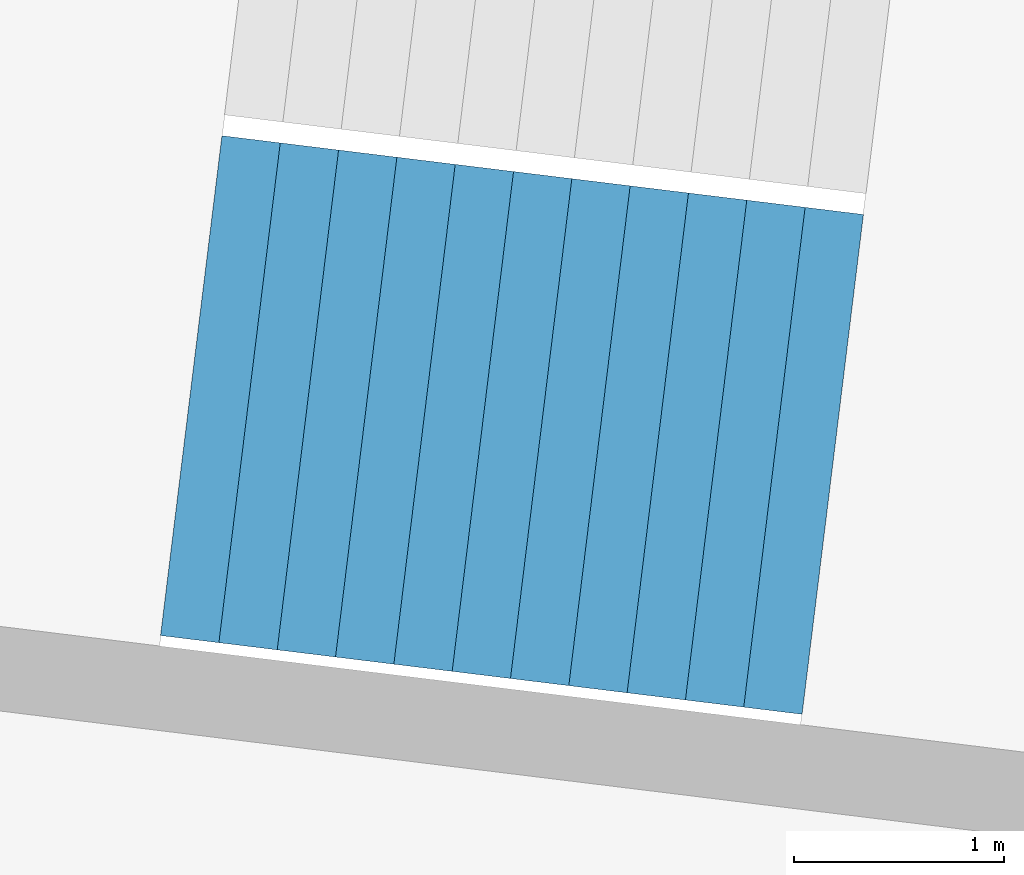
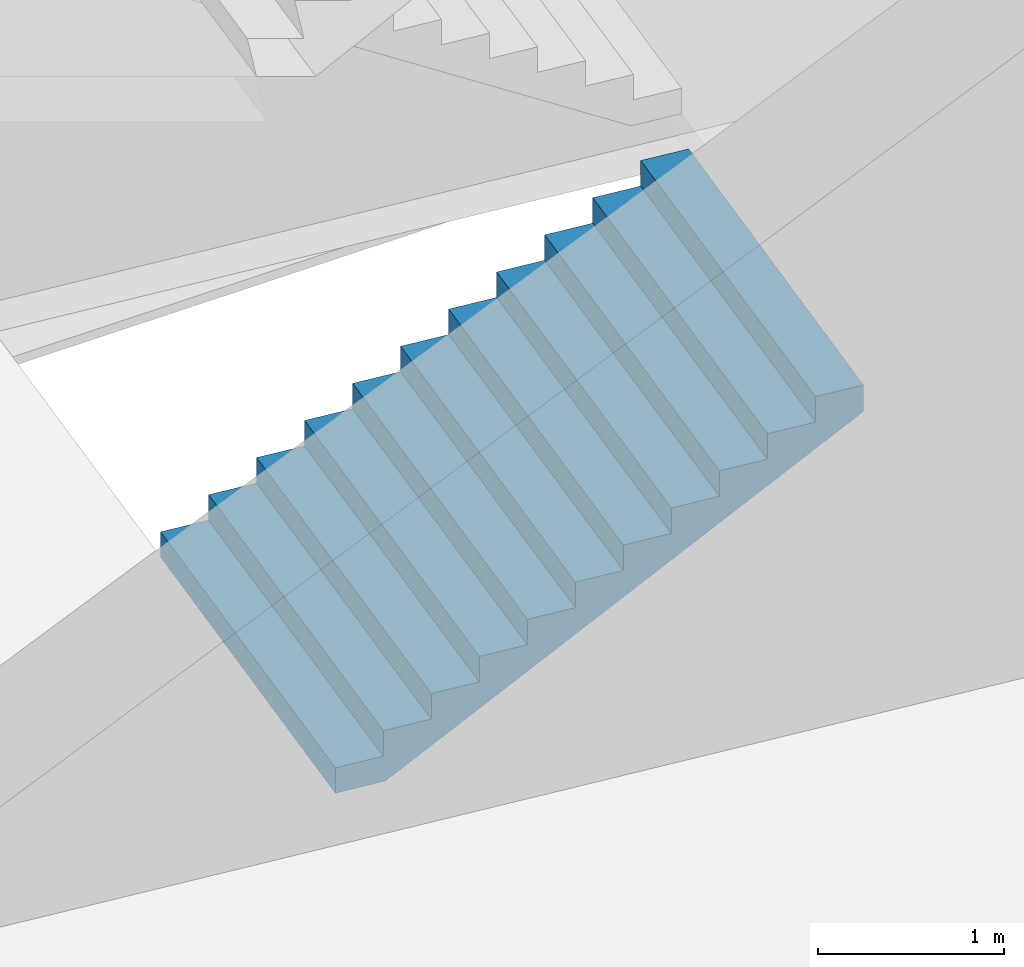
# One storey, part 54 of 74: 1 stair flight, 1 element without a shape of its own.
"""IFC4 building model written with IfcOpenShell, lengths in metres."""

from ifc_helpers import new_model, si_unit, direction, frame, origin, place, context, subcontext, project, spatial, triangles, material, type_object, element, aggregate, save


model = new_model("IFC4")

# Units and contexts
model_context = context("Model", 3, precision=1e-05, world=origin(), true_north=direction((0.0, 1.0)))
body_context = subcontext(model_context, "Body", "Model", "MODEL_VIEW")
ifc_project = project(units=[si_unit("LENGTHUNIT", "METRE"), si_unit("AREAUNIT", "SQUARE_METRE"), si_unit("VOLUMEUNIT", "CUBIC_METRE"), si_unit("PLANEANGLEUNIT", "RADIAN"), si_unit("MASSUNIT", "GRAM", prefix="KILO")], contexts=[model_context])

# Site, building, storey
site_placement = place(None, origin())
site = spatial("IfcSite", under=ifc_project, at=site_placement, CompositionType="ELEMENT")
building_placement = place(site_placement, origin())
building = spatial("IfcBuilding", under=site, at=building_placement, Name="Lantaw Convention Tower", CompositionType="ELEMENT")
storey_placement = place(building_placement, frame((0.0, 0.0, 6.5)))
storey = spatial("IfcBuildingStorey", under=building, at=storey_placement, Name="L01", CompositionType="ELEMENT", Elevation=6.5)

# Stair, stair flight
ifc_material = material(Name="Concrete C35/45", Category="concrete")
stair_type = type_object("IfcStairType", Name="Exit stair 2400 riser 166.67 in 4 flights", PredefinedType="HALF_TURN_STAIR", material=ifc_material)
stair_placement = place(storey_placement, origin())
stair = element("IfcStair", 1, at=stair_placement, inside=storey, type_object=stair_type, Name="Podium exit stair P13 L01", PredefinedType="HALF_TURN_STAIR")
stair_flight_type = type_object("IfcStairFlightType", Name="Stair flight 2400 riser 166.67", PredefinedType="STRAIGHT", material=ifc_material)
stair_flight_placement = place(storey_placement, frame((34.857421875, -5.539306640625, 0.0), z_axis=(0.0, 0.0, 1.0), x_axis=(0.992546151641, -0.121869343405, 0.0)))
stair_flight = element("IfcStairFlight", 2, at=stair_flight_placement, type_object=stair_flight_type, Name="P13 flight 1", NumberOfRisers=12, NumberOfTreads=11, PredefinedType="STRAIGHT", RiserHeight=0.166666667, TreadLength=0.28, context=body_context, shape_type="Tessellation", body=[
    triangles([(0.0, 1.199951171875, 0.0), (0.0, 1.199951171875, 0.166666667), (0.28, 1.199951171875, 0.0), (0.28, 1.199951171875, 0.166666667), (0.28, 1.199951171875, 0.333333334), (0.29307345806906726, 1.199951171875, 0.0), (0.29307345806906726, 1.199951171875, 0.333333334), (0.56, 1.199951171875, 0.15888484670522965), (0.56, 1.199951171875, 0.333333334), (0.56, 1.199951171875, 0.500000001), (0.8400000000000001, 1.199951171875, 0.3255515137052296), (0.8400000000000001, 1.199951171875, 0.500000001), (0.8400000000000001, 1.199951171875, 0.666666668), (1.12, 1.199951171875, 0.4922181807052296), (1.12, 1.199951171875, 0.666666668), (1.12, 1.199951171875, 0.833333335), (1.4000000000000001, 1.199951171875, 0.6588848477052296), (1.4000000000000001, 1.199951171875, 0.833333335), (1.4000000000000001, 1.199951171875, 1.000000002), (1.6800000000000002, 1.199951171875, 0.8255515147052296), (1.6800000000000002, 1.199951171875, 1.000000002), (1.6800000000000002, 1.199951171875, 1.166666669), (1.9600000000000002, 1.199951171875, 0.9922181817052296), (1.9600000000000002, 1.199951171875, 1.166666669), (1.9600000000000002, 1.199951171875, 1.333333336), (2.24, 1.199951171875, 1.1588848487052295), (2.24, 1.199951171875, 1.333333336), (2.24, 1.199951171875, 1.5000000029999998), (2.5200000000000005, 1.199951171875, 1.3255515157052296), (2.5200000000000005, 1.199951171875, 1.5000000029999998), (2.5200000000000005, 1.199951171875, 1.66666667), (2.8000000000000003, 1.199951171875, 1.4922181827052294), (2.8000000000000003, 1.199951171875, 1.66666667), (2.8000000000000003, 1.199951171875, 1.833333337), (3.08, 1.199951171875, 1.6588848497052293), (3.08, 1.199951171875, 1.833333337), (0.0, -1.199951171875, 0.0), (0.0, -1.199951171875, 0.166666667), (0.28, -1.199951171875, 0.0), (0.28, -1.199951171875, 0.166666667), (0.28, -1.199951171875, 0.333333334), (0.29307345806906726, -1.199951171875, 0.0), (0.29307345806906726, -1.199951171875, 0.333333334), (0.56, -1.199951171875, 0.15888484670522965), (0.56, -1.199951171875, 0.333333334), (0.56, -1.199951171875, 0.500000001), (0.8400000000000001, -1.199951171875, 0.3255515137052296), (0.8400000000000001, -1.199951171875, 0.500000001), (0.8400000000000001, -1.199951171875, 0.666666668), (1.12, -1.199951171875, 0.4922181807052296), (1.12, -1.199951171875, 0.666666668), (1.12, -1.199951171875, 0.833333335), (1.4000000000000001, -1.199951171875, 0.6588848477052296), (1.4000000000000001, -1.199951171875, 0.833333335), (1.4000000000000001, -1.199951171875, 1.000000002), (1.6800000000000002, -1.199951171875, 0.8255515147052296), (1.6800000000000002, -1.199951171875, 1.000000002), (1.6800000000000002, -1.199951171875, 1.166666669), (1.9600000000000002, -1.199951171875, 0.9922181817052296), (1.9600000000000002, -1.199951171875, 1.166666669), (1.9600000000000002, -1.199951171875, 1.333333336), (2.24, -1.199951171875, 1.1588848487052295), (2.24, -1.199951171875, 1.333333336), (2.24, -1.199951171875, 1.5000000029999998), (2.5200000000000005, -1.199951171875, 1.3255515157052296), (2.5200000000000005, -1.199951171875, 1.5000000029999998), (2.5200000000000005, -1.199951171875, 1.66666667), (2.8000000000000003, -1.199951171875, 1.4922181827052294), (2.8000000000000003, -1.199951171875, 1.66666667), (2.8000000000000003, -1.199951171875, 1.833333337), (3.08, -1.199951171875, 1.6588848497052293), (3.08, -1.199951171875, 1.833333337), (0.0, 0.239990234375, 0.166666667), (0.0, 0.239990234375, 0.0), (0.0, 0.1199951171875, 0.166666667), (0.0, 0.1199951171875, 0.0), (0.0, 0.0, 0.166666667), (0.0, 0.0, 0.0), (0.0, -0.1199951171875, 0.166666667), (0.0, -0.1199951171875, 0.0), (0.0, -0.239990234375, 0.166666667), (0.0, -0.239990234375, 0.0), (0.28, 0.239990234375, 0.333333334), (0.28, 0.239990234375, 0.166666667), (0.28, 0.1199951171875, 0.333333334), (0.28, 0.1199951171875, 0.166666667), (0.28, 0.0, 0.333333334), (0.28, 0.0, 0.166666667), (0.28, -0.1199951171875, 0.333333334), (0.28, -0.1199951171875, 0.166666667), (0.28, -0.239990234375, 0.333333334), (0.28, -0.239990234375, 0.166666667), (0.56, 0.239990234375, 0.500000001), (0.56, 0.239990234375, 0.333333334), (0.56, 0.1199951171875, 0.500000001), (0.56, 0.1199951171875, 0.333333334), (0.56, 0.0, 0.500000001), (0.56, 0.0, 0.333333334), (0.56, -0.1199951171875, 0.500000001), (0.56, -0.1199951171875, 0.333333334), (0.56, -0.239990234375, 0.500000001), (0.56, -0.239990234375, 0.333333334), (0.8400000000000001, 0.239990234375, 0.666666668), (0.8400000000000001, 0.239990234375, 0.500000001), (0.8400000000000001, 0.1199951171875, 0.666666668), (0.8400000000000001, 0.1199951171875, 0.500000001), (0.8400000000000001, 0.0, 0.666666668), (0.8400000000000001, 0.0, 0.500000001), (0.8400000000000001, -0.1199951171875, 0.666666668), (0.8400000000000001, -0.1199951171875, 0.500000001), (0.8400000000000001, -0.239990234375, 0.666666668), (0.8400000000000001, -0.239990234375, 0.500000001), (1.12, 0.239990234375, 0.833333335), (1.12, 0.239990234375, 0.666666668), (1.12, 0.1199951171875, 0.833333335), (1.12, 0.1199951171875, 0.666666668), (1.12, 0.0, 0.833333335), (1.12, 0.0, 0.666666668), (1.12, -0.1199951171875, 0.833333335), (1.12, -0.1199951171875, 0.666666668), (1.12, -0.239990234375, 0.833333335), (1.12, -0.239990234375, 0.666666668), (1.4000000000000001, 0.239990234375, 1.000000002), (1.4000000000000001, 0.239990234375, 0.833333335), (1.4000000000000001, 0.1199951171875, 1.000000002), (1.4000000000000001, 0.1199951171875, 0.833333335), (1.4000000000000001, 0.0, 1.000000002), (1.4000000000000001, 0.0, 0.833333335), (1.4000000000000001, -0.1199951171875, 1.000000002), (1.4000000000000001, -0.1199951171875, 0.833333335), (1.4000000000000001, -0.239990234375, 1.000000002), (1.4000000000000001, -0.239990234375, 0.833333335), (1.6800000000000002, 0.239990234375, 1.166666669), (1.6800000000000002, 0.239990234375, 1.000000002), (1.6800000000000002, 0.1199951171875, 1.166666669), (1.6800000000000002, 0.1199951171875, 1.000000002), (1.6800000000000002, 0.0, 1.166666669), (1.6800000000000002, 0.0, 1.000000002), (1.6800000000000002, -0.1199951171875, 1.166666669), (1.6800000000000002, -0.1199951171875, 1.000000002), (1.6800000000000002, -0.239990234375, 1.166666669), (1.6800000000000002, -0.239990234375, 1.000000002), (1.9600000000000002, 0.239990234375, 1.333333336), (1.9600000000000002, 0.239990234375, 1.166666669), (1.9600000000000002, 0.1199951171875, 1.333333336), (1.9600000000000002, 0.1199951171875, 1.166666669), (1.9600000000000002, 0.0, 1.333333336), (1.9600000000000002, 0.0, 1.166666669), (1.9600000000000002, -0.1199951171875, 1.333333336), (1.9600000000000002, -0.1199951171875, 1.166666669), (1.9600000000000002, -0.239990234375, 1.333333336), (1.9600000000000002, -0.239990234375, 1.166666669), (2.24, 0.239990234375, 1.5000000029999998), (2.24, 0.239990234375, 1.333333336), (2.24, 0.1199951171875, 1.5000000029999998), (2.24, 0.1199951171875, 1.333333336), (2.24, 0.0, 1.5000000029999998), (2.24, 0.0, 1.333333336), (2.24, -0.1199951171875, 1.5000000029999998), (2.24, -0.1199951171875, 1.333333336), (2.24, -0.239990234375, 1.5000000029999998), (2.24, -0.239990234375, 1.333333336), (2.5200000000000005, 0.239990234375, 1.66666667), (2.5200000000000005, 0.239990234375, 1.5000000029999998), (2.5200000000000005, 0.1199951171875, 1.66666667), (2.5200000000000005, 0.1199951171875, 1.5000000029999998), (2.5200000000000005, 0.0, 1.66666667), (2.5200000000000005, 0.0, 1.5000000029999998), (2.5200000000000005, -0.1199951171875, 1.66666667), (2.5200000000000005, -0.1199951171875, 1.5000000029999998), (2.5200000000000005, -0.239990234375, 1.66666667), (2.5200000000000005, -0.239990234375, 1.5000000029999998), (2.8000000000000003, 0.239990234375, 1.833333337), (2.8000000000000003, 0.239990234375, 1.66666667), (2.8000000000000003, 0.1199951171875, 1.833333337), (2.8000000000000003, 0.1199951171875, 1.66666667), (2.8000000000000003, 0.0, 1.833333337), (2.8000000000000003, 0.0, 1.66666667), (2.8000000000000003, -0.1199951171875, 1.833333337), (2.8000000000000003, -0.1199951171875, 1.66666667), (2.8000000000000003, -0.239990234375, 1.833333337), (2.8000000000000003, -0.239990234375, 1.66666667), (0.29307345806906726, 0.239990234375, 0.333333334), (0.29307345806906726, 0.1199951171875, 0.333333334), (0.29307345806906726, 0.0, 0.333333334), (0.29307345806906726, -0.1199951171875, 0.333333334), (0.29307345806906726, -0.239990234375, 0.333333334), (3.08, 0.239990234375, 1.833333337), (3.08, 0.1199951171875, 1.833333337), (3.08, 0.0, 1.833333337), (3.08, -0.1199951171875, 1.833333337), (3.08, -0.239990234375, 1.833333337), (3.08, 0.239990234375, 1.6588848497052293), (3.08, 0.1199951171875, 1.6588848497052293), (3.08, 0.0, 1.6588848497052293), (3.08, -0.1199951171875, 1.6588848497052293), (3.08, -0.239990234375, 1.6588848497052293), (2.8000000000000003, 0.239990234375, 1.4922181827052294), (2.8000000000000003, 0.1199951171875, 1.4922181827052294), (2.8000000000000003, 0.0, 1.4922181827052294), (2.8000000000000003, -0.1199951171875, 1.4922181827052294), (2.8000000000000003, -0.239990234375, 1.4922181827052294), (2.5200000000000005, 0.239990234375, 1.3255515157052296), (2.5200000000000005, 0.1199951171875, 1.3255515157052296), (2.5200000000000005, 0.0, 1.3255515157052296), (2.5200000000000005, -0.1199951171875, 1.3255515157052296), (2.5200000000000005, -0.239990234375, 1.3255515157052296), (2.24, 0.239990234375, 1.1588848487052295), (2.24, 0.1199951171875, 1.1588848487052295), (2.24, 0.0, 1.1588848487052295), (2.24, -0.1199951171875, 1.1588848487052295), (2.24, -0.239990234375, 1.1588848487052295), (1.9600000000000002, 0.239990234375, 0.9922181817052296), (1.9600000000000002, 0.1199951171875, 0.9922181817052296), (1.9600000000000002, 0.0, 0.9922181817052296), (1.9600000000000002, -0.1199951171875, 0.9922181817052296), (1.9600000000000002, -0.239990234375, 0.9922181817052296), (1.6800000000000002, 0.239990234375, 0.8255515147052296), (1.6800000000000002, 0.1199951171875, 0.8255515147052296), (1.6800000000000002, 0.0, 0.8255515147052296), (1.6800000000000002, -0.1199951171875, 0.8255515147052296), (1.6800000000000002, -0.239990234375, 0.8255515147052296), (1.4000000000000001, 0.239990234375, 0.6588848477052296), (1.4000000000000001, 0.1199951171875, 0.6588848477052296), (1.4000000000000001, 0.0, 0.6588848477052296), (1.4000000000000001, -0.1199951171875, 0.6588848477052296), (1.4000000000000001, -0.239990234375, 0.6588848477052296), (1.12, 0.239990234375, 0.4922181807052296), (1.12, 0.1199951171875, 0.4922181807052296), (1.12, 0.0, 0.4922181807052296), (1.12, -0.1199951171875, 0.4922181807052296), (1.12, -0.239990234375, 0.4922181807052296), (0.8400000000000001, 0.239990234375, 0.3255515137052296), (0.8400000000000001, 0.1199951171875, 0.3255515137052296), (0.8400000000000001, 0.0, 0.3255515137052296), (0.8400000000000001, -0.1199951171875, 0.3255515137052296), (0.8400000000000001, -0.239990234375, 0.3255515137052296), (0.56, 0.239990234375, 0.15888484670522965), (0.56, 0.1199951171875, 0.15888484670522965), (0.56, 0.0, 0.15888484670522965), (0.56, -0.1199951171875, 0.15888484670522965), (0.56, -0.239990234375, 0.15888484670522965), (0.29307345806906726, 0.239990234375, 0.0), (0.29307345806906726, 0.1199951171875, 0.0), (0.29307345806906726, 0.0, 0.0), (0.29307345806906726, -0.1199951171875, 0.0), (0.29307345806906726, -0.239990234375, 0.0), (0.28, 0.239990234375, 0.0), (0.28, 0.1199951171875, 0.0), (0.28, 0.0, 0.0), (0.28, -0.1199951171875, 0.0), (0.28, -0.239990234375, 0.0)], [[1, 4, 3], [1, 2, 4], [3, 4, 6], [4, 7, 6], [4, 5, 7], [6, 9, 8], [6, 7, 9], [8, 9, 11], [9, 12, 11], [9, 10, 12], [11, 12, 14], [12, 15, 14], [12, 13, 15], [14, 15, 17], [15, 18, 17], [15, 16, 18], [17, 18, 20], [18, 21, 20], [18, 19, 21], [20, 21, 23], [21, 24, 23], [21, 22, 24], [23, 24, 26], [24, 27, 26], [24, 25, 27], [26, 27, 29], [27, 30, 29], [27, 28, 30], [29, 30, 32], [30, 33, 32], [30, 31, 33], [32, 33, 35], [33, 36, 35], [33, 34, 36], [37, 39, 40], [37, 40, 38], [39, 42, 40], [40, 42, 43], [40, 43, 41], [42, 44, 45], [42, 45, 43], [44, 47, 45], [45, 47, 48], [45, 48, 46], [47, 50, 48], [48, 50, 51], [48, 51, 49], [50, 53, 51], [51, 53, 54], [51, 54, 52], [53, 56, 54], [54, 56, 57], [54, 57, 55], [56, 59, 57], [57, 59, 60], [57, 60, 58], [59, 62, 60], [60, 62, 63], [60, 63, 61], [62, 65, 63], [63, 65, 66], [63, 66, 64], [65, 68, 66], [66, 68, 69], [66, 69, 67], [68, 71, 69], [69, 71, 72], [69, 72, 70], [1, 73, 2], [1, 74, 73], [74, 75, 73], [74, 76, 75], [76, 77, 75], [76, 78, 77], [78, 79, 77], [78, 80, 79], [80, 81, 79], [80, 82, 81], [82, 38, 81], [82, 37, 38], [4, 83, 5], [4, 84, 83], [84, 85, 83], [84, 86, 85], [86, 87, 85], [86, 88, 87], [88, 89, 87], [88, 90, 89], [90, 91, 89], [90, 92, 91], [92, 41, 91], [92, 40, 41], [9, 93, 10], [9, 94, 93], [94, 95, 93], [94, 96, 95], [96, 97, 95], [96, 98, 97], [98, 99, 97], [98, 100, 99], [100, 101, 99], [100, 102, 101], [102, 46, 101], [102, 45, 46], [12, 103, 13], [12, 104, 103], [104, 105, 103], [104, 106, 105], [106, 107, 105], [106, 108, 107], [108, 109, 107], [108, 110, 109], [110, 111, 109], [110, 112, 111], [112, 49, 111], [112, 48, 49], [15, 113, 16], [15, 114, 113], [114, 115, 113], [114, 116, 115], [116, 117, 115], [116, 118, 117], [118, 119, 117], [118, 120, 119], [120, 121, 119], [120, 122, 121], [122, 52, 121], [122, 51, 52], [18, 123, 19], [18, 124, 123], [124, 125, 123], [124, 126, 125], [126, 127, 125], [126, 128, 127], [128, 129, 127], [128, 130, 129], [130, 131, 129], [130, 132, 131], [132, 55, 131], [132, 54, 55], [21, 133, 22], [21, 134, 133], [134, 135, 133], [134, 136, 135], [136, 137, 135], [136, 138, 137], [138, 139, 137], [138, 140, 139], [140, 141, 139], [140, 142, 141], [142, 58, 141], [142, 57, 58], [24, 143, 25], [24, 144, 143], [144, 145, 143], [144, 146, 145], [146, 147, 145], [146, 148, 147], [148, 149, 147], [148, 150, 149], [150, 151, 149], [150, 152, 151], [152, 61, 151], [152, 60, 61], [27, 153, 28], [27, 154, 153], [154, 155, 153], [154, 156, 155], [156, 157, 155], [156, 158, 157], [158, 159, 157], [158, 160, 159], [160, 161, 159], [160, 162, 161], [162, 64, 161], [162, 63, 64], [30, 163, 31], [30, 164, 163], [164, 165, 163], [164, 166, 165], [166, 167, 165], [166, 168, 167], [168, 169, 167], [168, 170, 169], [170, 171, 169], [170, 172, 171], [172, 67, 171], [172, 66, 67], [33, 173, 34], [33, 174, 173], [174, 175, 173], [174, 176, 175], [176, 177, 175], [176, 178, 177], [178, 179, 177], [178, 180, 179], [180, 181, 179], [180, 182, 181], [182, 70, 181], [182, 69, 70], [2, 84, 4], [2, 73, 84], [73, 86, 84], [73, 75, 86], [75, 88, 86], [75, 77, 88], [77, 90, 88], [77, 79, 90], [79, 92, 90], [79, 81, 92], [81, 40, 92], [81, 38, 40], [5, 183, 7], [5, 83, 183], [83, 184, 183], [83, 85, 184], [85, 185, 184], [85, 87, 185], [87, 186, 185], [87, 89, 186], [89, 187, 186], [89, 91, 187], [91, 43, 187], [91, 41, 43], [7, 94, 9], [7, 183, 94], [183, 96, 94], [183, 184, 96], [184, 98, 96], [184, 185, 98], [185, 100, 98], [185, 186, 100], [186, 102, 100], [186, 187, 102], [187, 45, 102], [187, 43, 45], [10, 104, 12], [10, 93, 104], [93, 106, 104], [93, 95, 106], [95, 108, 106], [95, 97, 108], [97, 110, 108], [97, 99, 110], [99, 112, 110], [99, 101, 112], [101, 48, 112], [101, 46, 48], [13, 114, 15], [13, 103, 114], [103, 116, 114], [103, 105, 116], [105, 118, 116], [105, 107, 118], [107, 120, 118], [107, 109, 120], [109, 122, 120], [109, 111, 122], [111, 51, 122], [111, 49, 51], [16, 124, 18], [16, 113, 124], [113, 126, 124], [113, 115, 126], [115, 128, 126], [115, 117, 128], [117, 130, 128], [117, 119, 130], [119, 132, 130], [119, 121, 132], [121, 54, 132], [121, 52, 54], [19, 134, 21], [19, 123, 134], [123, 136, 134], [123, 125, 136], [125, 138, 136], [125, 127, 138], [127, 140, 138], [127, 129, 140], [129, 142, 140], [129, 131, 142], [131, 57, 142], [131, 55, 57], [22, 144, 24], [22, 133, 144], [133, 146, 144], [133, 135, 146], [135, 148, 146], [135, 137, 148], [137, 150, 148], [137, 139, 150], [139, 152, 150], [139, 141, 152], [141, 60, 152], [141, 58, 60], [25, 154, 27], [25, 143, 154], [143, 156, 154], [143, 145, 156], [145, 158, 156], [145, 147, 158], [147, 160, 158], [147, 149, 160], [149, 162, 160], [149, 151, 162], [151, 63, 162], [151, 61, 63], [28, 164, 30], [28, 153, 164], [153, 166, 164], [153, 155, 166], [155, 168, 166], [155, 157, 168], [157, 170, 168], [157, 159, 170], [159, 172, 170], [159, 161, 172], [161, 66, 172], [161, 64, 66], [31, 174, 33], [31, 163, 174], [163, 176, 174], [163, 165, 176], [165, 178, 176], [165, 167, 178], [167, 180, 178], [167, 169, 180], [169, 182, 180], [169, 171, 182], [171, 69, 182], [171, 67, 69], [34, 188, 36], [34, 173, 188], [173, 189, 188], [173, 175, 189], [175, 190, 189], [175, 177, 190], [177, 191, 190], [177, 179, 191], [179, 192, 191], [179, 181, 192], [181, 72, 192], [181, 70, 72], [36, 193, 35], [36, 188, 193], [188, 194, 193], [188, 189, 194], [189, 195, 194], [189, 190, 195], [190, 196, 195], [190, 191, 196], [191, 197, 196], [191, 192, 197], [192, 71, 197], [192, 72, 71], [35, 198, 32], [35, 193, 198], [193, 199, 198], [193, 194, 199], [194, 200, 199], [194, 195, 200], [195, 201, 200], [195, 196, 201], [196, 202, 201], [196, 197, 202], [197, 68, 202], [197, 71, 68], [32, 203, 29], [32, 198, 203], [198, 204, 203], [198, 199, 204], [199, 205, 204], [199, 200, 205], [200, 206, 205], [200, 201, 206], [201, 207, 206], [201, 202, 207], [202, 65, 207], [202, 68, 65], [29, 208, 26], [29, 203, 208], [203, 209, 208], [203, 204, 209], [204, 210, 209], [204, 205, 210], [205, 211, 210], [205, 206, 211], [206, 212, 211], [206, 207, 212], [207, 62, 212], [207, 65, 62], [26, 213, 23], [26, 208, 213], [208, 214, 213], [208, 209, 214], [209, 215, 214], [209, 210, 215], [210, 216, 215], [210, 211, 216], [211, 217, 216], [211, 212, 217], [212, 59, 217], [212, 62, 59], [23, 218, 20], [23, 213, 218], [213, 219, 218], [213, 214, 219], [214, 220, 219], [214, 215, 220], [215, 221, 220], [215, 216, 221], [216, 222, 221], [216, 217, 222], [217, 56, 222], [217, 59, 56], [20, 223, 17], [20, 218, 223], [218, 224, 223], [218, 219, 224], [219, 225, 224], [219, 220, 225], [220, 226, 225], [220, 221, 226], [221, 227, 226], [221, 222, 227], [222, 53, 227], [222, 56, 53], [17, 228, 14], [17, 223, 228], [223, 229, 228], [223, 224, 229], [224, 230, 229], [224, 225, 230], [225, 231, 230], [225, 226, 231], [226, 232, 231], [226, 227, 232], [227, 50, 232], [227, 53, 50], [14, 233, 11], [14, 228, 233], [228, 234, 233], [228, 229, 234], [229, 235, 234], [229, 230, 235], [230, 236, 235], [230, 231, 236], [231, 237, 236], [231, 232, 237], [232, 47, 237], [232, 50, 47], [11, 238, 8], [11, 233, 238], [233, 239, 238], [233, 234, 239], [234, 240, 239], [234, 235, 240], [235, 241, 240], [235, 236, 241], [236, 242, 241], [236, 237, 242], [237, 44, 242], [237, 47, 44], [8, 243, 6], [8, 238, 243], [238, 244, 243], [238, 239, 244], [239, 245, 244], [239, 240, 245], [240, 246, 245], [240, 241, 246], [241, 247, 246], [241, 242, 247], [242, 42, 247], [242, 44, 42], [6, 248, 3], [6, 243, 248], [243, 249, 248], [243, 244, 249], [244, 250, 249], [244, 245, 250], [245, 251, 250], [245, 246, 251], [246, 252, 251], [246, 247, 252], [247, 39, 252], [247, 42, 39], [3, 74, 1], [3, 248, 74], [248, 76, 74], [248, 249, 76], [249, 78, 76], [249, 250, 78], [250, 80, 78], [250, 251, 80], [251, 82, 80], [251, 252, 82], [252, 37, 82], [252, 39, 37]], closed=True),
])
aggregate(stair, [stair_flight])

save(model, "model.ifc")
